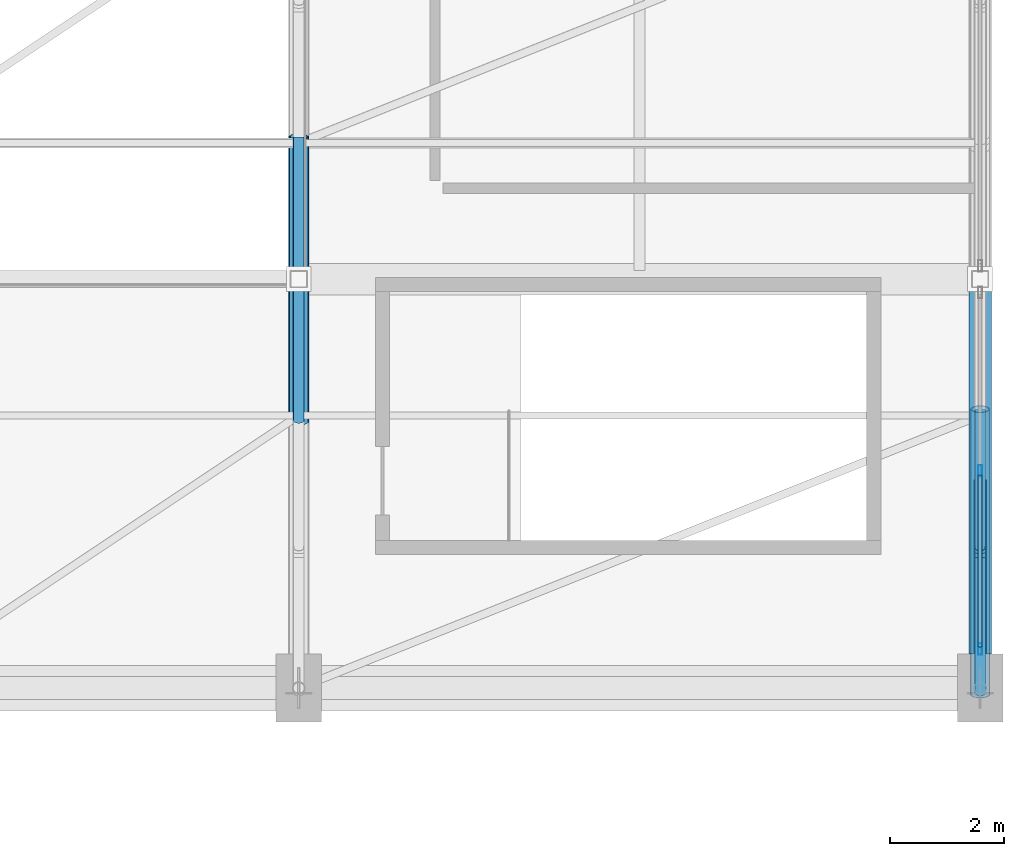
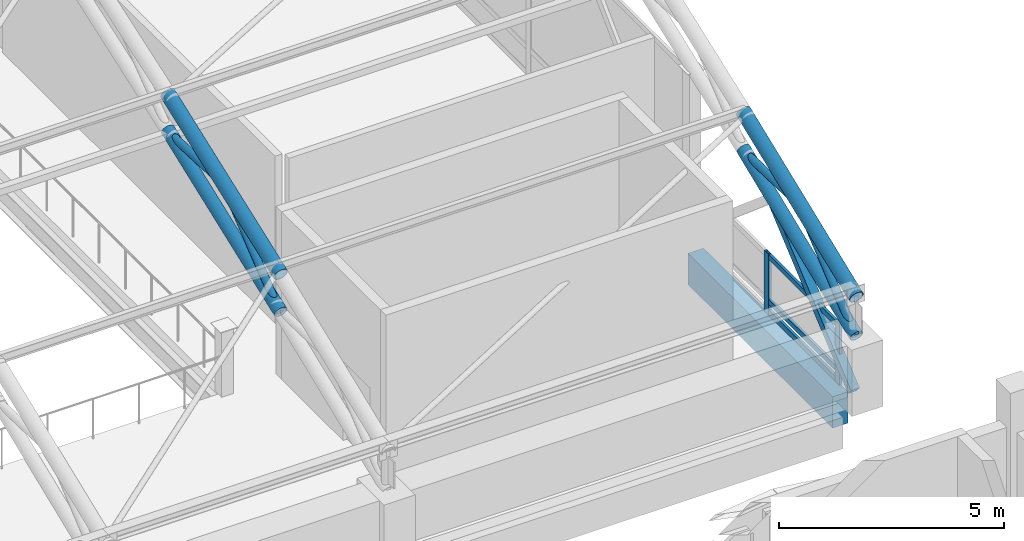
# One storey, part 40 of 116: 14 members, 1 beam, 1 element without a shape of its own.
"""IFC4 building model written with IfcOpenShell, lengths in metres."""

from ifc_helpers import new_model, si_unit, direction, frame, origin, origin_2d, place, context, subcontext, project, spatial, rectangle, hollow_rectangle, hollow_circle, extrude, material, material_profile, profile_set, type_object, element, aggregate, save


model = new_model("IFC4")

# Units and contexts
model_context = context("Model", 3, precision=1e-05, world=origin(), true_north=direction((0.0, 1.0)))
body_context = subcontext(model_context, "Body", "Model", "MODEL_VIEW")
ifc_project = project(units=[si_unit("LENGTHUNIT", "METRE"), si_unit("AREAUNIT", "SQUARE_METRE"), si_unit("VOLUMEUNIT", "CUBIC_METRE"), si_unit("PLANEANGLEUNIT", "RADIAN"), si_unit("MASSUNIT", "GRAM", prefix="KILO")], contexts=[model_context])

# Site, building, storey
site_placement = place(None, origin())
site = spatial("IfcSite", under=ifc_project, at=site_placement, CompositionType="ELEMENT")
building_placement = place(site_placement, origin())
building = spatial("IfcBuilding", under=site, at=building_placement, Name="Cendralis Lancet Convention Centre", CompositionType="ELEMENT")
storey_placement = place(building_placement, frame((0.0, 0.0, 15.0)))
storey = spatial("IfcBuildingStorey", under=building, at=storey_placement, Name="L03", CompositionType="ELEMENT", Elevation=15.0)

# Curtain wall, members
ifc_material_1 = material(Name="Anodised bronze architectural aluminium", Category="aluminium")
curtain_wall_type = type_object("IfcCurtainWallType", Name="ARC-CW-PL02", PredefinedType="USERDEFINED", material=ifc_material_1)
curtain_wall_placement = place(storey_placement, origin())
curtain_wall = element("IfcCurtainWall", 1, at=curtain_wall_placement, inside=storey, type_object=curtain_wall_type, Name="L03 Curtain Wall CW-PL2 #141", ObjectType="CURTAIN WALL", PredefinedType="USERDEFINED")
ifc_material_profile_1 = material_profile(ifc_material_1, hollow_rectangle(XDim=0.070068359375, YDim=0.199951171875, WallThickness=0.0048828125, at=origin_2d()), Name="AL-MULL 70x200x5.0")
ifc_profile_set_1 = profile_set([ifc_material_profile_1], Name="Anodised bronze architectural aluminium")
member_type_1 = type_object("IfcMemberType", Name="ARC-CW-ML02", PredefinedType="MULLION", material=ifc_profile_set_1)
member_1_placement = place(storey_placement, frame((208.800048828125, 47.02490234375, 0.0), z_axis=(0.0, 0.0, 1.0), x_axis=(1.0, 0.0, 0.0)))
member_1 = element("IfcMember", 2, at=member_1_placement, type_object=member_type_1, Name="Mullion CW2-CW-PL2-L03-141-M1", PredefinedType="MULLION", context=body_context, shape_type="SweptSolid", body=[
    extrude(hollow_rectangle(XDim=0.070068359375, YDim=0.199951171875, WallThickness=0.0048828125, at=origin_2d()), origin(), (0.0, 0.0, 1.0), 1.64990234375),
])
member_2_placement = place(storey_placement, frame((208.800048828125, 43.885009765625, 0.0), z_axis=(0.0, 0.0, 1.0), x_axis=(1.0, 0.0, 0.0)))
member_2 = element("IfcMember", 3, at=member_2_placement, type_object=member_type_1, Name="Mullion CW2-CW-PL2-L03-141-M2", PredefinedType="MULLION", context=body_context, shape_type="SweptSolid", body=[
    extrude(hollow_rectangle(XDim=0.070068359375, YDim=0.199951171875, WallThickness=0.0048828125, at=origin_2d()), origin(), (0.0, 0.0, 1.0), 1.64990234375),
])
ifc_material_profile_2 = material_profile(ifc_material_1, hollow_rectangle(XDim=0.070068359375, YDim=0.139892578125, WallThickness=0.00390625, at=origin_2d()), Name="AL-TRAN 70x140x4.0")
ifc_profile_set_2 = profile_set([ifc_material_profile_2], Name="Anodised bronze architectural aluminium")
member_type_2 = type_object("IfcMemberType", Name="ARC-CW-TR02", PredefinedType="USERDEFINED", material=ifc_profile_set_2)
member_3_placement = place(storey_placement, frame((208.800048828125, 46.955078125, 0.070068359375), z_axis=(0.0, -1.0, 0.0), x_axis=(1.0, 0.0, 0.0)))
member_3 = element("IfcMember", 4, at=member_3_placement, type_object=member_type_2, Name="Transom CW2-CW-PL2-L03-141-T1BOT", ObjectType="TRANSOM", PredefinedType="USERDEFINED", context=body_context, shape_type="SweptSolid", body=[
    extrude(hollow_rectangle(XDim=0.070068359375, YDim=0.139892578125, WallThickness=0.00390625, at=origin_2d()), origin(), (0.0, 0.0, 1.0), 3.03515625),
])
member_4_placement = place(storey_placement, frame((208.800048828125, 46.955078125, 0.363037109375), z_axis=(0.0, -1.0, 0.0), x_axis=(1.0, 0.0, 0.0)))
member_4 = element("IfcMember", 5, at=member_4_placement, type_object=member_type_2, Name="Transom CW2-CW-PL2-L03-141-T1MID", ObjectType="TRANSOM", PredefinedType="USERDEFINED", context=body_context, shape_type="SweptSolid", body=[
    extrude(hollow_rectangle(XDim=0.070068359375, YDim=0.139892578125, WallThickness=0.00390625, at=origin_2d()), origin(), (0.0, 0.0, 1.0), 3.03515625),
])
member_5_placement = place(storey_placement, frame((208.800048828125, 46.955078125, 1.580078125), z_axis=(0.0, -1.0, 0.0), x_axis=(1.0, 0.0, 0.0)))
member_5 = element("IfcMember", 6, at=member_5_placement, type_object=member_type_2, Name="Transom CW2-CW-PL2-L03-141-T1TOP", ObjectType="TRANSOM", PredefinedType="USERDEFINED", context=body_context, shape_type="SweptSolid", body=[
    extrude(hollow_rectangle(XDim=0.070068359375, YDim=0.139892578125, WallThickness=0.00390625, at=origin_2d()), origin(), (0.0, 0.0, 1.0), 3.03515625),
])
aggregate(curtain_wall, [member_1, member_2, member_3, member_4, member_5])

# Member
ifc_material_2 = material(Name="Steel S355", Category="steel")
ifc_material_profile_3 = material_profile(ifc_material_2, hollow_rectangle(XDim=0.219970703125, YDim=0.219970703125, WallThickness=0.012451171875, at=origin_2d()), Name="SHS 220x220x12.5")
ifc_profile_set_3 = profile_set([ifc_material_profile_3], Name="Steel S355")
member_type_3 = type_object("IfcMemberType", Name="STR-BR-GB02", PredefinedType="BRACE", material=ifc_profile_set_3)
member_6_placement = place(storey_placement, frame((208.800048828125, 43.199951171875, 0.199951171875), z_axis=(0.0, 0.762604993608, 0.646864455449), x_axis=(-1.0, 0.0, 0.0)))
element("IfcMember", 7, at=member_6_placement, inside=storey, type_object=member_type_3, Name="Plenary Gable Gothic Ogival Tracery Rib GBR2 #071", PredefinedType="BRACE", context=body_context, shape_type="SweptSolid", body=[
    extrude(hollow_rectangle(XDim=0.219970703125, YDim=0.219970703125, WallThickness=0.012451171875, at=origin_2d()), origin(), (0.0, 0.0, 1.0), 4.720703125),
])

# Beam
ifc_material_3 = material(Name="Concrete G40 (C40/50)", Category="concrete")
ifc_material_profile_4 = material_profile(ifc_material_3, rectangle(XDim=0.39990234375, YDim=0.85009765625, at=origin_2d()), Name="RCB 400x850")
ifc_profile_set_4 = profile_set([ifc_material_profile_4], Name="Concrete G40 (C40/50)")
beam_type = type_object("IfcBeamType", Name="STR-SP-SP02", PredefinedType="SPANDREL", material=ifc_profile_set_4)
beam_placement = place(storey_placement, frame((208.800048828125, 43.800048828125, -0.68505859375), z_axis=(0.0, 1.0, 0.0), x_axis=(-1.0, 0.0, 0.0)))
element("IfcBeam", 8, at=beam_placement, inside=storey, type_object=beam_type, Name="L03 Beam SP02 #1547", PredefinedType="SPANDREL", context=body_context, shape_type="SweptSolid", body=[
    extrude(rectangle(XDim=0.39990234375, YDim=0.85009765625, at=origin_2d()), origin(), (0.0, 0.0, 1.0), 6.425048828125),
])

# Members
ifc_material_profile_5 = material_profile(ifc_material_2, hollow_circle(Radius=0.161865234375, WallThickness=0.01416015625, at=origin_2d()), Name="CHS 323.9x14.2")
ifc_profile_set_5 = profile_set([ifc_material_profile_5], Name="Steel S355")
member_type_4 = type_object("IfcMemberType", Name="STR-TR-BC02", PredefinedType="CHORD", material=ifc_profile_set_5)
member_7_placement = place(storey_placement, frame((208.800048828125, 43.088623046875, 1.755126953125), z_axis=(0.0, 0.927278249077, 0.374372874002), x_axis=(-1.0, 0.0, 0.0)))
element("IfcMember", 9, at=member_7_placement, inside=storey, type_object=member_type_4, Name="ROOF TRUSS AT-V2-10 Bottom Chord 00", PredefinedType="CHORD", context=body_context, shape_type="SweptSolid", body=[
    extrude(hollow_circle(Radius=0.161865234375, WallThickness=0.01416015625, at=origin_2d()), origin(), (0.0, 0.0, 1.0), 5.41650390625),
])
ifc_material_profile_6 = material_profile(ifc_material_2, hollow_circle(Radius=0.161865234375, WallThickness=0.01416015625, at=origin_2d()), Name="CHS 323.9x14.2")
ifc_profile_set_6 = profile_set([ifc_material_profile_6], Name="Steel S355")
member_type_5 = type_object("IfcMemberType", Name="STR-TR-BC02-INT", PredefinedType="CHORD", material=ifc_profile_set_6)
member_8_placement = place(storey_placement, frame((196.800048828125, 47.8876953125, 3.695556640625), z_axis=(0.0, 0.935181338514, 0.354169259105), x_axis=(-1.0, 0.0, 0.0)))
element("IfcMember", 10, at=member_8_placement, inside=storey, type_object=member_type_5, Name="ROOF TRUSS AT-V2-09 Bottom Chord 01", PredefinedType="CHORD", context=body_context, shape_type="SweptSolid", body=[
    extrude(hollow_circle(Radius=0.161865234375, WallThickness=0.01416015625, at=origin_2d()), origin(), (0.0, 0.0, 1.0), 5.37255859375),
])
ifc_material_profile_7 = material_profile(ifc_material_2, hollow_circle(Radius=0.177734375, WallThickness=0.01611328125, at=origin_2d()), Name="CHS 355.6x16.0")
ifc_profile_set_7 = profile_set([ifc_material_profile_7], Name="Steel S355")
member_type_6 = type_object("IfcMemberType", Name="STR-TR-TC02", PredefinedType="CHORD", material=ifc_profile_set_7)
member_9_placement = place(storey_placement, frame((208.800048828125, 43.08837890625, 2.8056640625), z_axis=(0.0, 0.929501282069, 0.368818880525), x_axis=(-1.0, 0.0, 0.0)))
element("IfcMember", 11, at=member_9_placement, inside=storey, type_object=member_type_6, Name="ROOF TRUSS AT-V2-10 Top Chord 00", PredefinedType="CHORD", context=body_context, shape_type="SweptSolid", body=[
    extrude(hollow_circle(Radius=0.177734375, WallThickness=0.01611328125, at=origin_2d()), origin(), (0.0, 0.0, 1.0), 5.404296875),
])
ifc_material_profile_8 = material_profile(ifc_material_2, hollow_circle(Radius=0.177734375, WallThickness=0.01611328125, at=origin_2d()), Name="CHS 355.6x16.0")
ifc_profile_set_8 = profile_set([ifc_material_profile_8], Name="Steel S355")
member_type_7 = type_object("IfcMemberType", Name="STR-TR-TC02-INT", PredefinedType="CHORD", material=ifc_profile_set_8)
member_10_placement = place(storey_placement, frame((196.800048828125, 47.887451171875, 4.712646484375), z_axis=(0.0, 0.937337757089, 0.348422056041), x_axis=(-1.0, 0.0, 0.0)))
element("IfcMember", 12, at=member_10_placement, inside=storey, type_object=member_type_7, Name="ROOF TRUSS AT-V2-09 Top Chord 01", PredefinedType="CHORD", context=body_context, shape_type="SweptSolid", body=[
    extrude(hollow_circle(Radius=0.177734375, WallThickness=0.01611328125, at=origin_2d()), origin(), (0.0, 0.0, 1.0), 5.361083984375),
])
ifc_material_profile_9 = material_profile(ifc_material_2, hollow_circle(Radius=0.096923828125, WallThickness=0.008056640625, at=origin_2d()), Name="CHS 193.7x8.0")
ifc_profile_set_9 = profile_set([ifc_material_profile_9], Name="Steel S355")
member_type_8 = type_object("IfcMemberType", Name="STR-TR-WD02", PredefinedType="BRACE", material=ifc_profile_set_9)
member_11_placement = place(storey_placement, frame((208.800048828125, 43.123291015625, 1.73583984375), z_axis=(0.0, 0.767817962022, 0.640668070998), x_axis=(-1.0, 0.0, 0.0)))
element("IfcMember", 13, at=member_11_placement, inside=storey, type_object=member_type_8, Name="ROOF TRUSS AT-V2-10 Warren Web 00-0", PredefinedType="BRACE", context=body_context, shape_type="SweptSolid", body=[
    extrude(hollow_circle(Radius=0.096923828125, WallThickness=0.008056640625, at=origin_2d()), origin(), (0.0, 0.0, 1.0), 3.32568359375),
])
member_12_placement = place(storey_placement, frame((208.800048828125, 45.5, 3.804931640625), z_axis=(0.0, 0.999642128324, -0.026750986533), x_axis=(-1.0, 0.0, 0.0)))
element("IfcMember", 14, at=member_12_placement, inside=storey, type_object=member_type_8, Name="ROOF TRUSS AT-V2-10 Warren Web 00-1", PredefinedType="BRACE", context=body_context, shape_type="SweptSolid", body=[
    extrude(hollow_circle(Radius=0.096923828125, WallThickness=0.008056640625, at=origin_2d()), origin(), (0.0, 0.0, 1.0), 2.60107421875),
])
ifc_material_profile_10 = material_profile(ifc_material_2, hollow_circle(Radius=0.096923828125, WallThickness=0.008056640625, at=origin_2d()), Name="CHS 193.7x8.0")
ifc_profile_set_10 = profile_set([ifc_material_profile_10], Name="Steel S355")
member_type_9 = type_object("IfcMemberType", Name="STR-TR-WD02-INT", PredefinedType="BRACE", material=ifc_profile_set_10)
member_13_placement = place(storey_placement, frame((196.800048828125, 47.921630859375, 3.67578125), z_axis=(0.0, 0.782673873306, 0.62243201078), x_axis=(-1.0, 0.0, 0.0)))
element("IfcMember", 15, at=member_13_placement, inside=storey, type_object=member_type_9, Name="ROOF TRUSS AT-V2-09 Warren Web 01-0", PredefinedType="BRACE", context=body_context, shape_type="SweptSolid", body=[
    extrude(hollow_circle(Radius=0.096923828125, WallThickness=0.008056640625, at=origin_2d()), origin(), (0.0, 0.0, 1.0), 3.2666015625),
])
member_14_placement = place(storey_placement, frame((196.800048828125, 50.300048828125, 5.650390625), z_axis=(0.0, 0.999288228514, -0.037723154086), x_axis=(-1.0, 0.0, 0.0)))
element("IfcMember", 16, at=member_14_placement, inside=storey, type_object=member_type_9, Name="ROOF TRUSS AT-V2-09 Warren Web 01-1", PredefinedType="BRACE", context=body_context, shape_type="SweptSolid", body=[
    extrude(hollow_circle(Radius=0.096923828125, WallThickness=0.008056640625, at=origin_2d()), origin(), (0.0, 0.0, 1.0), 2.601806640625),
])

save(model, "model.ifc")
